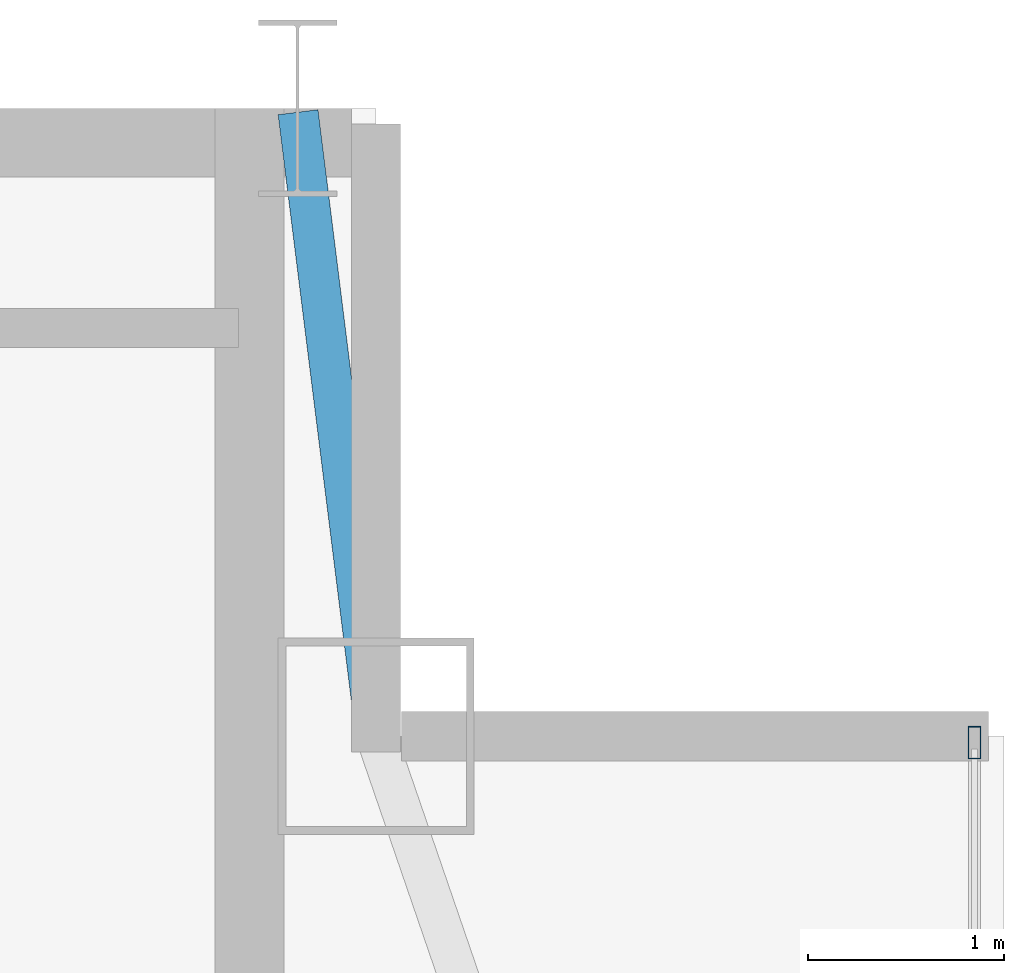
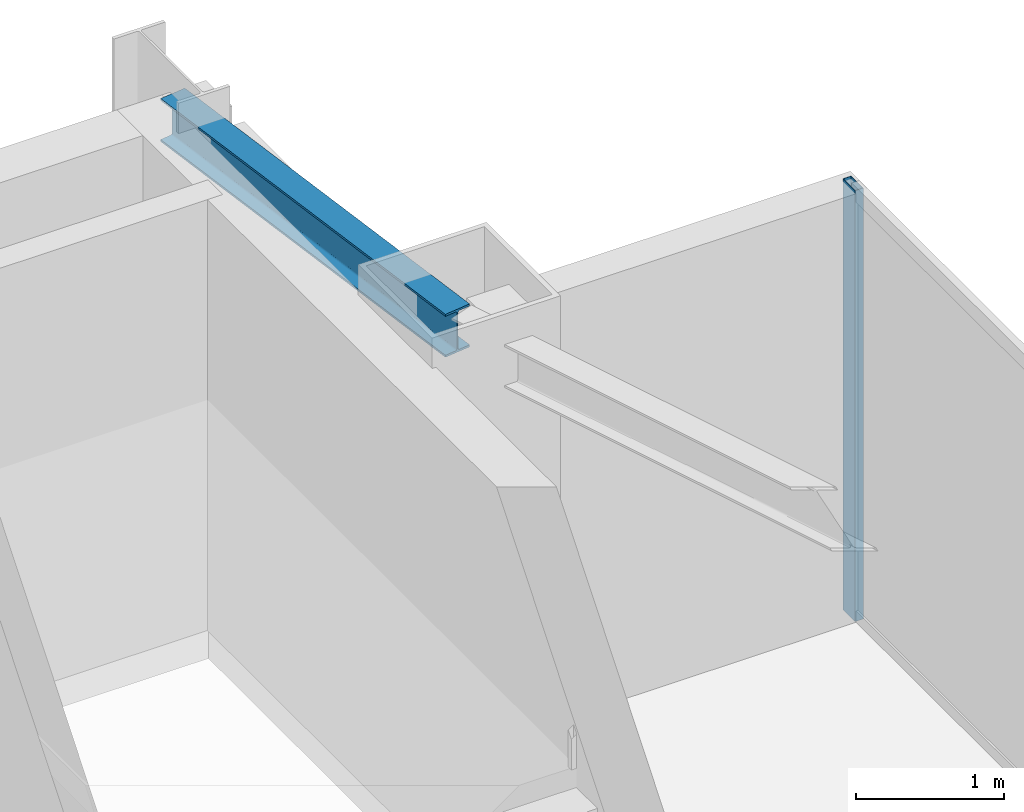
# One storey, part 17 of 24: 1 beam, 1 member, 1 element without a shape of its own.
"""IFC4 building model written with IfcOpenShell, lengths in metres."""

from ifc_helpers import new_model, si_unit, direction, frame, origin, origin_2d, place, context, subcontext, project, spatial, hollow_rectangle, i_section, extrude, source, transform, mapped, material, layer, layer_set, material_profile, profile_set, type_object, type_shapes, element, aggregate, save


model = new_model("IFC4")

# Units and contexts
model_context = context("Model", 3, precision=1e-05, world=origin(), true_north=direction((0.0, 1.0)))
body_context = subcontext(model_context, "Body", "Model", "MODEL_VIEW")
ifc_project = project(units=[si_unit("LENGTHUNIT", "METRE"), si_unit("AREAUNIT", "SQUARE_METRE"), si_unit("VOLUMEUNIT", "CUBIC_METRE"), si_unit("PLANEANGLEUNIT", "RADIAN"), si_unit("MASSUNIT", "GRAM", prefix="KILO")], contexts=[model_context])

# Site, building, storey
site_placement = place(None, origin())
site = spatial("IfcSite", under=ifc_project, at=site_placement, CompositionType="ELEMENT")
building_placement = place(site_placement, origin())
building = spatial("IfcBuilding", under=site, at=building_placement, Name="Varnel Quay Broadcast Tower", CompositionType="ELEMENT")
storey_placement = place(building_placement, frame((0.0, 0.0, 281.199951171875)))
storey = spatial("IfcBuildingStorey", under=building, at=storey_placement, Name="L70", CompositionType="ELEMENT", Elevation=281.199951171875)

# Beam
ifc_material_1 = material(Name="Structural Steel CSA G40.21 350W", Category="steel")
ifc_material_profile_1 = material_profile(ifc_material_1, i_section(OverallWidth=0.205078125, OverallDepth=0.35400390625, WebThickness=0.009521484375, FlangeThickness=0.016845703125, FilletRadius=0.012939453125, at=origin_2d()), Name="W360X79")
ifc_profile_set_1 = profile_set([ifc_material_profile_1], Name="Structural Steel CSA G40.21 350W")
beam_type = type_object("IfcBeamType", Name="Beam_W360X79", PredefinedType="SPANDREL", material=ifc_profile_set_1)
shared_shape_1 = source(origin(), body_context, "Body", "SweptSolid", [
    extrude(i_section(OverallWidth=0.205078125, OverallDepth=0.35400390625, WebThickness=0.009521484375, FlangeThickness=0.016845703125, FilletRadius=0.012939453125, at=origin_2d()), origin(), (0.0, 0.0, 1.0), 3.18505859375),
])
type_shapes(beam_type, [shared_shape_1])
beam_placement = place(storey_placement, frame((52.402587890625, 46.7802734375, 3.373046875), z_axis=(0.124025300311, -0.992279055953, 0.0), x_axis=(0.992279055953, 0.124025300311, 0.0)))
element("IfcBeam", 1, at=beam_placement, inside=storey, type_object=beam_type, Name="L70 NE Tie Spandrel", PredefinedType="SPANDREL", context=body_context, shape_type="MappedRepresentation", body=[
    mapped(shared_shape_1, transform((0.0, 0.0, 0.0), x_axis=(1.0, 0.0, 0.0), y_axis=(0.0, 1.0, 0.0), z_axis=(0.0, 0.0, 1.0), scale=1.0)),
])

# Curtain wall, member
ifc_material_2 = material(Name="Anodised Bronze Aluminium 6063-T6", Category="aluminium")
ifc_layer = layer(ifc_material_2, 0.18994140625, Name="Anodised Bronze Aluminium 6063-T6")
ifc_layer_set = layer_set([ifc_layer], Name="Anodised Bronze Aluminium 6063-T6")
curtain_wall_type = type_object("IfcCurtainWallType", Name="CW_UpperTower", PredefinedType="NOTDEFINED", material=ifc_layer_set)
curtain_wall_placement = place(storey_placement, origin())
curtain_wall = element("IfcCurtainWall", 2, at=curtain_wall_placement, inside=storey, type_object=curtain_wall_type, Name="L70 East Unitised Curtain Wall", PredefinedType="NOTDEFINED")
ifc_material_profile_2 = material_profile(ifc_material_2, hollow_rectangle(XDim=0.06494140625, YDim=0.1650390625, WallThickness=0.00341796875, at=origin_2d()), Name="ALU65X165X3.5")
ifc_profile_set_2 = profile_set([ifc_material_profile_2], Name="Anodised Bronze Aluminium 6063-T6")
member_type = type_object("IfcMemberType", Name="Mull_CWS-03", PredefinedType="MULLION", material=ifc_profile_set_2)
shared_shape_2 = source(origin(), body_context, "Body", "SweptSolid", [
    extrude(hollow_rectangle(XDim=0.06494140625, YDim=0.1650390625, WallThickness=0.00341796875, at=origin_2d()), origin(), (0.0, 0.0, 1.0), 3.550048828125),
])
type_shapes(member_type, [shared_shape_2])
member_placement = place(storey_placement, frame((55.85009765625, 43.5673828125, 0.0), z_axis=(0.0, 0.0, 1.0), x_axis=(-1.0, 0.0, 0.0)))
member = element("IfcMember", 3, at=member_placement, type_object=member_type, Name="CWS-03 mullion 3", PredefinedType="MULLION", context=body_context, shape_type="MappedRepresentation", body=[
    mapped(shared_shape_2, transform((0.0, 0.0, 0.0), x_axis=(1.0, 0.0, 0.0), y_axis=(0.0, 1.0, 0.0), z_axis=(0.0, 0.0, 1.0), scale=1.0)),
])
aggregate(curtain_wall, [member])

save(model, "model.ifc")
